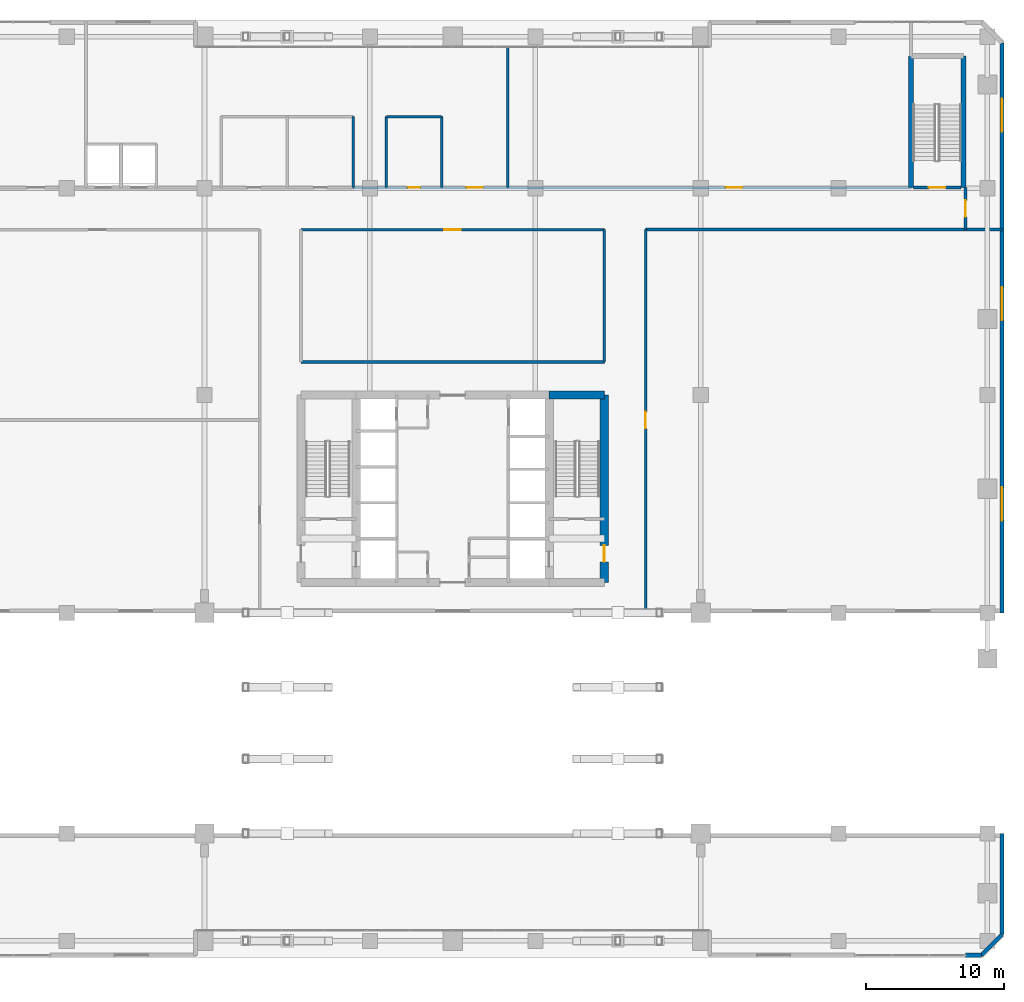
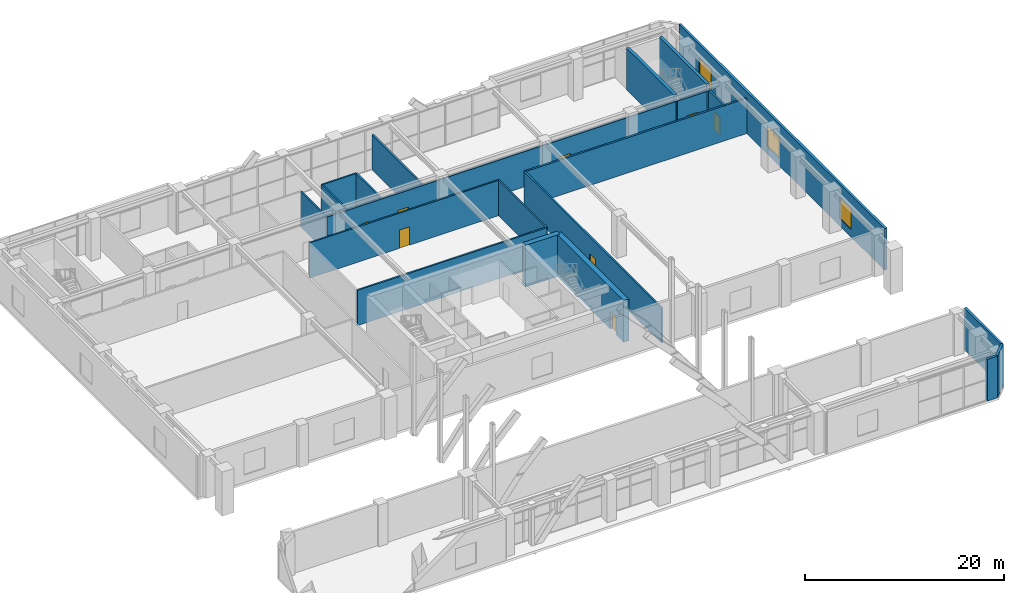
# One storey, part 24 of 28: 21 walls, 8 doors, 3 windows, 11 openings.
"""IFC4 building model written with IfcOpenShell, lengths in metres."""

from ifc_helpers import new_model, si_unit, direction, frame, frame_2d, origin, place, context, subcontext, project, spatial, rectangle, extrude, material, layer, layer_set, type_object, element, fill, save


model = new_model("IFC4")

# Units and contexts
model_context = context("Model", 3, precision=1e-05, world=origin(), true_north=direction((0.0, 1.0)))
body_context = subcontext(model_context, "Body", "Model", "MODEL_VIEW")
ifc_project = project(units=[si_unit("LENGTHUNIT", "METRE"), si_unit("AREAUNIT", "SQUARE_METRE"), si_unit("VOLUMEUNIT", "CUBIC_METRE"), si_unit("PLANEANGLEUNIT", "RADIAN"), si_unit("MASSUNIT", "GRAM", prefix="KILO")], contexts=[model_context])

# Site, building, storey
site_placement = place(None, origin())
site = spatial("IfcSite", under=ifc_project, at=site_placement, CompositionType="ELEMENT")
building_placement = place(site_placement, origin())
building = spatial("IfcBuilding", under=site, at=building_placement, Name="Sarneth Arch Tower", CompositionType="ELEMENT")
storey_placement = place(building_placement, frame((0.0, 0.0, 6.0)))
storey = spatial("IfcBuildingStorey", under=building, at=storey_placement, Name="L01", CompositionType="ELEMENT", Elevation=6.0)

# Walls
ifc_material_1 = material(Name="Concrete C50/60", Category="concrete")
ifc_layer_1 = layer(ifc_material_1, 0.35009765625)
ifc_layer_set_1 = layer_set([ifc_layer_1], Name="Concrete C50/60")
wall_type_1 = type_object("IfcWallType", Name="WALL-CORE-350", PredefinedType="SHEAR", material=ifc_layer_set_1)
for number, where, z_axis, x_axis, name in (
    (1, (81.25, 63.85009765625, 0.0), (0.0, 0.0, 1.0), (0.0, 1.0, 0.0), "L01 Podium stair core wall STP2-W"),
    (2, (85.050048828125, 63.85009765625, 0.0), (0.0, 0.0, 1.0), (0.0, 1.0, 0.0), "L01 Podium stair core wall STP2-E"),
):
    element("IfcWall", number, at=place(storey_placement, frame(where, z_axis=z_axis, x_axis=x_axis)), inside=storey, type_object=wall_type_1, Name=name, PredefinedType="SHEAR", context=body_context, shape_type="SweptSolid", body=[
        extrude(rectangle(XDim=9.5498046875, YDim=0.35009765625, at=frame_2d((4.77490234375, 0.0))), origin(), (0.0, 0.0, 1.0), 5.1201171875),
    ])
ifc_material_2 = material(Name="Concrete C60/75", Category="concrete")
ifc_layer_2 = layer(ifc_material_2, 0.60009765625)
ifc_layer_set_2 = layer_set([ifc_layer_2], Name="Concrete C60/75")
wall_type_2 = type_object("IfcWallType", Name="WALL-CORE-600", PredefinedType="SHEAR", material=ifc_layer_set_2)
wall_1_placement = place(storey_placement, frame((55.0, 48.800048828125, 0.0), z_axis=(0.0, 0.0, 1.0), x_axis=(1.0, 0.0, 0.0)))
element("IfcWall", 3, at=wall_1_placement, inside=storey, type_object=wall_type_2, Name="L01 Core shear wall N-E", PredefinedType="SHEAR", context=body_context, shape_type="SweptSolid", body=[
    extrude(rectangle(XDim=4.0, YDim=0.60009765625, at=frame_2d((2.0, 0.0))), origin(), (0.0, 0.0, 1.0), 5.1201171875),
])

# Wall, opening, door
wall_2_placement = place(storey_placement, frame((59.0, 35.199951171875, 0.0), z_axis=(0.0, 0.0, 1.0), x_axis=(0.0, 1.0, 0.0)))
wall_2 = element("IfcWall", 4, at=wall_2_placement, inside=storey, type_object=wall_type_2, Name="L01 Core shear wall E", PredefinedType="SHEAR", context=body_context, shape_type="SweptSolid", body=[
    extrude(rectangle(XDim=13.60009765625, YDim=0.60009765625, at=frame_2d((6.800048828125, 0.0))), origin(), (0.0, 0.0, 1.0), 5.1201171875),
])
opening_1_placement = place(wall_2_placement, frame((1.5, 0.0, 0.0)))
opening_1 = element("IfcOpeningElement", 5, at=opening_1_placement, cuts=wall_2, Name="Opening FD-02", PredefinedType="OPENING", context=body_context, shape_type="SweptSolid", body=[
    extrude(rectangle(XDim=1.199951171875, YDim=2.14990234375, at=frame_2d((0.60009765625, 1.074951171875))), frame((0.0, 0.31005859375, 0.0), z_axis=(0.0, -1.0, 0.0), x_axis=(1.0, 0.0, 0.0)), (0.0, 0.0, 1.0), 0.6201171875),
])
ifc_material_3 = material(Name="Galvanised Steel S275 fire door set", Category="steel")
door_type_1 = type_object("IfcDoorType", Name="DR-FD90-1200", OperationType="SINGLE_SWING_LEFT", PredefinedType="DOOR", material=ifc_material_3)
door_1_placement = place(opening_1_placement, origin())
door_1 = element("IfcDoor", 6, at=door_1_placement, inside=storey, type_object=door_type_1, Name="L01 Firefighting lobby 2 exit door", OperationType="SINGLE_SWING_RIGHT", OverallHeight=2.14990234375, OverallWidth=1.199951171875, PredefinedType="DOOR", context=body_context, shape_type="SweptSolid", body=[
    extrude(rectangle(XDim=1.199951171875, YDim=2.14990234375, at=frame_2d((0.60009765625, 1.074951171875))), frame((0.0, 0.02490234375, 0.0), z_axis=(0.0, -1.0, 0.0), x_axis=(1.0, 0.0, 0.0)), (0.0, 0.0, 1.0), 0.050048828125),
])
fill(opening_1, door_1)

# Wall, openings, doors
ifc_material_4 = material(Name="Double steel-stud corridor fire wall", Category="steel")
ifc_layer_3 = layer(ifc_material_4, 0.18994140625)
ifc_layer_set_3 = layer_set([ifc_layer_3], Name="Double steel-stud corridor fire wall")
wall_type_3 = type_object("IfcWallType", Name="WALL-CORR-190", PredefinedType="PARTITIONING", material=ifc_layer_set_3)
wall_3_placement = place(storey_placement, frame((40.76806640625, 63.85009765625, 0.0), z_axis=(0.0, 0.0, 1.0), x_axis=(1.0, 0.0, 0.0)))
wall_3 = element("IfcWall", 7, at=wall_3_placement, inside=storey, type_object=wall_type_3, Name="L01 Interior partition W-L01-TP-016", PredefinedType="PARTITIONING", context=body_context, shape_type="SweptSolid", body=[
    extrude(rectangle(XDim=40.513916015625, YDim=0.18994140625, at=frame_2d((20.2568359375, 0.0))), origin(), (0.0, 0.0, 1.0), 4.320068359375),
])
opening_2_placement = place(wall_3_placement, frame((27.056884765625, 0.0, 0.0)))
opening_2 = element("IfcOpeningElement", 8, at=opening_2_placement, cuts=wall_3, Name="Opening FD-06", PredefinedType="OPENING", context=body_context, shape_type="SweptSolid", body=[
    extrude(rectangle(XDim=1.199951171875, YDim=2.25, at=frame_2d((0.60009765625, 1.125))), frame((0.0, 0.10498046875, 0.0), z_axis=(0.0, -1.0, 0.0), x_axis=(1.0, 0.0, 0.0)), (0.0, 0.0, 1.0), 0.2099609375),
])
opening_3_placement = place(wall_3_placement, frame((8.23193359375, 0.0, 0.0)))
opening_3 = element("IfcOpeningElement", 9, at=opening_3_placement, cuts=wall_3, Name="Opening FD-06", PredefinedType="OPENING", context=body_context, shape_type="SweptSolid", body=[
    extrude(rectangle(XDim=1.199951171875, YDim=2.25, at=frame_2d((0.60009765625, 1.125))), frame((0.0, 0.10498046875, 0.0), z_axis=(0.0, -1.0, 0.0), x_axis=(1.0, 0.0, 0.0)), (0.0, 0.0, 1.0), 0.2099609375),
])
opening_4_placement = place(wall_3_placement, frame((3.98193359375, 0.0, 0.0)))
opening_4 = element("IfcOpeningElement", 10, at=opening_4_placement, cuts=wall_3, Name="Opening ID-01", PredefinedType="OPENING", context=body_context, shape_type="SweptSolid", body=[
    extrude(rectangle(XDim=0.89990234375, YDim=2.10009765625, at=frame_2d((0.449951171875, 1.050048828125))), frame((0.0, 0.10498046875, 0.0), z_axis=(0.0, -1.0, 0.0), x_axis=(1.0, 0.0, 0.0)), (0.0, 0.0, 1.0), 0.2099609375),
])
ifc_material_5 = material(Name="Hardwood timber acoustic fire door", Category="wood")
door_type_2 = type_object("IfcDoorType", Name="DR-FD60-1200", OperationType="SINGLE_SWING_LEFT", PredefinedType="DOOR", material=ifc_material_5)
door_2_placement = place(opening_2_placement, origin())
door_2 = element("IfcDoor", 11, at=door_2_placement, inside=storey, type_object=door_type_2, Name="L01 Interior door DR-L01-BOUT4", OperationType="SINGLE_SWING_RIGHT", OverallHeight=2.25, OverallWidth=1.199951171875, PredefinedType="DOOR", context=body_context, shape_type="SweptSolid", body=[
    extrude(rectangle(XDim=1.199951171875, YDim=2.25, at=frame_2d((0.60009765625, 1.125))), frame((0.0, 0.02490234375, 0.0), z_axis=(0.0, -1.0, 0.0), x_axis=(1.0, 0.0, 0.0)), (0.0, 0.0, 1.0), 0.050048828125),
])
fill(opening_2, door_2)
door_3_placement = place(opening_3_placement, origin())
door_3 = element("IfcDoor", 12, at=door_3_placement, inside=storey, type_object=door_type_2, Name="L01 Interior door DR-L01-NSTR", OperationType="SINGLE_SWING_LEFT", OverallHeight=2.25, OverallWidth=1.199951171875, PredefinedType="DOOR", context=body_context, shape_type="SweptSolid", body=[
    extrude(rectangle(XDim=1.199951171875, YDim=2.25, at=frame_2d((0.60009765625, 1.125))), frame((0.0, 0.02490234375, 0.0), z_axis=(0.0, -1.0, 0.0), x_axis=(1.0, 0.0, 0.0)), (0.0, 0.0, 1.0), 0.050048828125),
])
fill(opening_3, door_3)
ifc_material_6 = material(Name="Engineered hardwood flush door", Category="wood")
door_type_3 = type_object("IfcDoorType", Name="DR-INT-900", OperationType="SINGLE_SWING_LEFT", PredefinedType="DOOR", material=ifc_material_6)
door_4_placement = place(opening_4_placement, origin())
door_4 = element("IfcDoor", 13, at=door_4_placement, inside=storey, type_object=door_type_3, Name="L01 Interior door DR-L01-WCA", OperationType="SINGLE_SWING_RIGHT", OverallHeight=2.10009765625, OverallWidth=0.89990234375, PredefinedType="DOOR", context=body_context, shape_type="SweptSolid", body=[
    extrude(rectangle(XDim=0.89990234375, YDim=2.10009765625, at=frame_2d((0.449951171875, 1.050048828125))), frame((0.0, 0.02490234375, 0.0), z_axis=(0.0, -1.0, 0.0), x_axis=(1.0, 0.0, 0.0)), (0.0, 0.0, 1.0), 0.050048828125),
])
fill(opening_4, door_4)

# Wall, opening, door
wall_4_placement = place(storey_placement, frame((62.0, 60.800048828125, 0.0), z_axis=(0.0, 0.0, 1.0), x_axis=(0.0, -1.0, 0.0)))
wall_4 = element("IfcWall", 14, at=wall_4_placement, inside=storey, type_object=wall_type_3, Name="L01 Interior partition W-L01-TP-009", PredefinedType="PARTITIONING", context=body_context, shape_type="SweptSolid", body=[
    extrude(rectangle(XDim=27.650146484375, YDim=0.18994140625, at=frame_2d((13.8251953125, 0.0))), origin(), (0.0, 0.0, 1.0), 4.320068359375),
])
opening_5_placement = place(wall_4_placement, frame((13.22509765625, 0.0, 0.0)))
opening_5 = element("IfcOpeningElement", 15, at=opening_5_placement, cuts=wall_4, Name="Opening FD-06", PredefinedType="OPENING", context=body_context, shape_type="SweptSolid", body=[
    extrude(rectangle(XDim=1.199951171875, YDim=2.25, at=frame_2d((0.60009765625, 1.125))), frame((0.0, 0.10498046875, 0.0), z_axis=(0.0, -1.0, 0.0), x_axis=(1.0, 0.0, 0.0)), (0.0, 0.0, 1.0), 0.2099609375),
])
door_5_placement = place(opening_5_placement, origin())
door_5 = element("IfcDoor", 16, at=door_5_placement, inside=storey, type_object=door_type_2, Name="L01 Interior door DR-L01-RET3", OperationType="SINGLE_SWING_RIGHT", OverallHeight=2.25, OverallWidth=1.199951171875, PredefinedType="DOOR", context=body_context, shape_type="SweptSolid", body=[
    extrude(rectangle(XDim=1.199951171875, YDim=2.25, at=frame_2d((0.60009765625, 1.125))), frame((0.0, 0.02490234375, 0.0), z_axis=(0.0, -1.0, 0.0), x_axis=(1.0, 0.0, 0.0)), (0.0, 0.0, 1.0), 0.050048828125),
])
fill(opening_5, door_5)

wall_5_placement = place(storey_placement, frame((59.0, 60.800048828125, 0.0), z_axis=(0.0, 0.0, 1.0), x_axis=(-1.0, 0.0, 0.0)))
wall_5 = element("IfcWall", 17, at=wall_5_placement, inside=storey, type_object=wall_type_3, Name="L01 Interior partition W-L01-TP-005", PredefinedType="PARTITIONING", context=body_context, shape_type="SweptSolid", body=[
    extrude(rectangle(XDim=22.0, YDim=0.18994140625, at=frame_2d((11.0, 0.0))), origin(), (0.0, 0.0, 1.0), 4.320068359375),
])
opening_6_placement = place(wall_5_placement, frame((10.39990234375, 0.0, 0.0)))
opening_6 = element("IfcOpeningElement", 18, at=opening_6_placement, cuts=wall_5, Name="Opening FD-06", PredefinedType="OPENING", context=body_context, shape_type="SweptSolid", body=[
    extrude(rectangle(XDim=1.199951171875, YDim=2.25, at=frame_2d((0.60009765625, 1.125))), frame((0.0, 0.10498046875, 0.0), z_axis=(0.0, -1.0, 0.0), x_axis=(1.0, 0.0, 0.0)), (0.0, 0.0, 1.0), 0.2099609375),
])
door_6_placement = place(opening_6_placement, origin())
door_6 = element("IfcDoor", 19, at=door_6_placement, inside=storey, type_object=door_type_2, Name="L01 Interior door DR-L01-DIN", OperationType="SINGLE_SWING_RIGHT", OverallHeight=2.25, OverallWidth=1.199951171875, PredefinedType="DOOR", context=body_context, shape_type="SweptSolid", body=[
    extrude(rectangle(XDim=1.199951171875, YDim=2.25, at=frame_2d((0.60009765625, 1.125))), frame((0.0, 0.02490234375, 0.0), z_axis=(0.0, -1.0, 0.0), x_axis=(1.0, 0.0, 0.0)), (0.0, 0.0, 1.0), 0.050048828125),
])
fill(opening_6, door_6)

# Walls
wall_6_placement = place(storey_placement, frame((37.0, 51.199951171875, 0.0), z_axis=(0.0, 0.0, 1.0), x_axis=(1.0, 0.0, 0.0)))
element("IfcWall", 20, at=wall_6_placement, inside=storey, type_object=wall_type_3, Name="L01 Interior partition W-L01-TP-007", PredefinedType="PARTITIONING", context=body_context, shape_type="SweptSolid", body=[
    extrude(rectangle(XDim=22.0, YDim=0.18994140625, at=frame_2d((11.0, 0.0))), origin(), (0.0, 0.0, 1.0), 4.320068359375),
])
wall_7_placement = place(storey_placement, frame((59.0, 51.199951171875, 0.0), z_axis=(0.0, 0.0, 1.0), x_axis=(0.0, 1.0, 0.0)))
element("IfcWall", 21, at=wall_7_placement, inside=storey, type_object=wall_type_3, Name="L01 Interior partition W-L01-TP-004", PredefinedType="PARTITIONING", context=body_context, shape_type="SweptSolid", body=[
    extrude(rectangle(XDim=9.60009765625, YDim=0.18994140625, at=frame_2d((4.800048828125, 0.0))), origin(), (0.0, 0.0, 1.0), 4.320068359375),
])

# Wall, openings, windows
ifc_material_7 = material(Name="Extruded terracotta rainscreen on Concrete C40/50 backing", Category="masonry")
ifc_layer_4 = layer(ifc_material_7, 0.280029296875)
ifc_layer_set_4 = layer_set([ifc_layer_4], Name="Extruded terracotta rainscreen on Concrete C40/50 backing")
wall_type_4 = type_object("IfcWallType", Name="WALL-EXT-TERRA-280", PredefinedType="SOLIDWALL", material=ifc_layer_set_4)
wall_8_placement = place(storey_placement, frame((87.85009765625, 74.35009765625, 0.0), z_axis=(0.0, 0.0, 1.0), x_axis=(0.0, -1.0, 0.0)))
wall_8 = element("IfcWall", 22, at=wall_8_placement, inside=storey, type_object=wall_type_4, Name="L01 East podium north wall", PredefinedType="SOLIDWALL", context=body_context, shape_type="SweptSolid", body=[
    extrude(rectangle(XDim=41.35009765625, YDim=0.280029296875, at=frame_2d((20.675048828125, 0.0))), origin(), (0.0, 0.0, 1.0), 5.1201171875),
])
opening_7_placement = place(wall_8_placement, frame((4.050048828125, 0.0, 0.89990234375)))
opening_7 = element("IfcOpeningElement", 23, at=opening_7_placement, cuts=wall_8, Name="Opening W-02", PredefinedType="OPENING", context=body_context, shape_type="SweptSolid", body=[
    extrude(rectangle(XDim=2.39990234375, YDim=2.60009765625, at=frame_2d((1.199951171875, 1.300048828125))), frame((0.0, 0.14990234375, 0.0), z_axis=(0.0, -1.0, 0.0), x_axis=(1.0, 0.0, 0.0)), (0.0, 0.0, 1.0), 0.300048828125),
])
opening_8_placement = place(wall_8_placement, frame((17.72509765625, 0.0, 0.89990234375)))
opening_8 = element("IfcOpeningElement", 24, at=opening_8_placement, cuts=wall_8, Name="Opening W-02", PredefinedType="OPENING", context=body_context, shape_type="SweptSolid", body=[
    extrude(rectangle(XDim=2.39990234375, YDim=2.60009765625, at=frame_2d((1.199951171875, 1.300048828125))), frame((0.0, 0.14990234375, 0.0), z_axis=(0.0, -1.0, 0.0), x_axis=(1.0, 0.0, 0.0)), (0.0, 0.0, 1.0), 0.300048828125),
])
opening_9_placement = place(wall_8_placement, frame((32.25, 0.0, 0.89990234375)))
opening_9 = element("IfcOpeningElement", 25, at=opening_9_placement, cuts=wall_8, Name="Opening W-02", PredefinedType="OPENING", context=body_context, shape_type="SweptSolid", body=[
    extrude(rectangle(XDim=2.39990234375, YDim=2.60009765625, at=frame_2d((1.199951171875, 1.300048828125))), frame((0.0, 0.14990234375, 0.0), z_axis=(0.0, -1.0, 0.0), x_axis=(1.0, 0.0, 0.0)), (0.0, 0.0, 1.0), 0.300048828125),
])
ifc_material_8 = material(Name="Thermally broken Aluminium 6063-T6 and low-e laminated IGU", Category="aluminium")
window_type = type_object("IfcWindowType", Name="WIN-POD-2400x2600", PartitioningType="DOUBLE_PANEL_VERTICAL", PredefinedType="WINDOW", material=ifc_material_8)
window_1_placement = place(opening_7_placement, origin())
window_1 = element("IfcWindow", 26, at=window_1_placement, inside=storey, type_object=window_type, Name="L01 East window 1", OverallHeight=2.60009765625, OverallWidth=2.39990234375, PartitioningType="SINGLE_PANEL", PredefinedType="WINDOW", context=body_context, shape_type="SweptSolid", body=[
    extrude(rectangle(XDim=2.39990234375, YDim=2.60009765625, at=frame_2d((1.199951171875, 1.300048828125))), frame((0.0, 0.030029296875, 0.0), z_axis=(0.0, -1.0, 0.0), x_axis=(1.0, 0.0, 0.0)), (0.0, 0.0, 1.0), 0.06005859375),
])
fill(opening_7, window_1)
window_2_placement = place(opening_8_placement, origin())
window_2 = element("IfcWindow", 27, at=window_2_placement, inside=storey, type_object=window_type, Name="L01 East window 2", OverallHeight=2.60009765625, OverallWidth=2.39990234375, PartitioningType="SINGLE_PANEL", PredefinedType="WINDOW", context=body_context, shape_type="SweptSolid", body=[
    extrude(rectangle(XDim=2.39990234375, YDim=2.60009765625, at=frame_2d((1.199951171875, 1.300048828125))), frame((0.0, 0.030029296875, 0.0), z_axis=(0.0, -1.0, 0.0), x_axis=(1.0, 0.0, 0.0)), (0.0, 0.0, 1.0), 0.06005859375),
])
fill(opening_8, window_2)
window_3_placement = place(opening_9_placement, origin())
window_3 = element("IfcWindow", 28, at=window_3_placement, inside=storey, type_object=window_type, Name="L01 East window 3", OverallHeight=2.60009765625, OverallWidth=2.39990234375, PartitioningType="SINGLE_PANEL", PredefinedType="WINDOW", context=body_context, shape_type="SweptSolid", body=[
    extrude(rectangle(XDim=2.39990234375, YDim=2.60009765625, at=frame_2d((1.199951171875, 1.300048828125))), frame((0.0, 0.030029296875, 0.0), z_axis=(0.0, -1.0, 0.0), x_axis=(1.0, 0.0, 0.0)), (0.0, 0.0, 1.0), 0.06005859375),
])
fill(opening_9, window_3)

# Walls
wall_9_placement = place(storey_placement, frame((87.85009765625, 9.64990234375, 0.0), z_axis=(0.0, 0.0, 1.0), x_axis=(0.0, 1.0, 0.0)))
element("IfcWall", 29, at=wall_9_placement, inside=storey, type_object=wall_type_4, Name="L01 East south wing wall", PredefinedType="SOLIDWALL", context=body_context, shape_type="SweptSolid", body=[
    extrude(rectangle(XDim=7.35009765625, YDim=0.280029296875, at=frame_2d((3.675048828125, 0.0))), origin(), (0.0, 0.0, 1.0), 5.1201171875),
])
wall_10_placement = place(storey_placement, frame((86.35009765625, 8.14990234375, 0.0), z_axis=(0.0, 0.0, 1.0), x_axis=(0.707106781187, 0.707106781187, 0.0)))
element("IfcWall", 30, at=wall_10_placement, inside=storey, type_object=wall_type_4, Name="L01 Podium chamfer terracotta wall SE", PredefinedType="SOLIDWALL", context=body_context, shape_type="SweptSolid", body=[
    extrude(rectangle(XDim=2.121337890625, YDim=0.280029296875, at=frame_2d((1.060546875, 0.0))), origin(), (0.0, 0.0, 1.0), 5.1201171875),
])
ifc_material_9 = material(Name="Extruded terracotta rainscreen on Concrete C40/50 backing", Category="masonry")
ifc_layer_5 = layer(ifc_material_9, 0.320068359375)
ifc_layer_set_5 = layer_set([ifc_layer_5], Name="Extruded terracotta rainscreen on Concrete C40/50 backing")
wall_type_5 = type_object("IfcWallType", Name="WALL-EXT-TERRA-320", PredefinedType="SOLIDWALL", material=ifc_layer_set_5)
wall_11_placement = place(storey_placement, frame((85.199951171875, 8.14990234375, 0.0), z_axis=(0.0, 0.0, 1.0), x_axis=(1.0, 0.0, 0.0)))
element("IfcWall", 31, at=wall_11_placement, inside=storey, type_object=wall_type_5, Name="L01 South-east pier", PredefinedType="SOLIDWALL", context=body_context, shape_type="SweptSolid", body=[
    extrude(rectangle(XDim=1.150146484375, YDim=0.320068359375, at=frame_2d((0.5751953125, 0.0))), origin(), (0.0, 0.0, 1.0), 5.1201171875),
])
ifc_material_10 = material(Name="Aerated concrete blockwork C25/30", Category="masonry")
ifc_layer_6 = layer(ifc_material_10, 0.219970703125)
ifc_layer_set_6 = layer_set([ifc_layer_6], Name="Aerated concrete blockwork C25/30")
wall_type_6 = type_object("IfcWallType", Name="WALL-FIRE-220", PredefinedType="SOLIDWALL", material=ifc_layer_set_6)
wall_12_placement = place(storey_placement, frame((87.85009765625, 60.800048828125, 0.0), z_axis=(0.0, 0.0, 1.0), x_axis=(-1.0, 0.0, 0.0)))
element("IfcWall", 32, at=wall_12_placement, inside=storey, type_object=wall_type_6, Name="L01 Interior partition W-L01-TP-008", PredefinedType="SOLIDWALL", context=body_context, shape_type="SweptSolid", body=[
    extrude(rectangle(XDim=25.85009765625, YDim=0.219970703125, at=frame_2d((12.925048828125, 0.0))), origin(), (0.0, 0.0, 1.0), 4.320068359375),
])

# Wall, opening, door
wall_13_placement = place(storey_placement, frame((85.199951171875, 63.85009765625, 0.0), z_axis=(0.0, 0.0, 1.0), x_axis=(0.0, -1.0, 0.0)))
wall_13 = element("IfcWall", 33, at=wall_13_placement, inside=storey, type_object=wall_type_6, Name="L01 Interior partition W-L01-TP-020", PredefinedType="SOLIDWALL", context=body_context, shape_type="SweptSolid", body=[
    extrude(rectangle(XDim=3.050048828125, YDim=0.219970703125, at=frame_2d((1.52490234375, 0.0))), origin(), (0.0, 0.0, 1.0), 4.320068359375),
])
opening_10_placement = place(wall_13_placement, frame((0.925048828125, 0.0, 0.0)))
opening_10 = element("IfcOpeningElement", 34, at=opening_10_placement, cuts=wall_13, Name="Opening FD-06", PredefinedType="OPENING", context=body_context, shape_type="SweptSolid", body=[
    extrude(rectangle(XDim=1.199951171875, YDim=2.25, at=frame_2d((0.60009765625, 1.125))), frame((0.0, 0.119873046875, 0.0), z_axis=(0.0, -1.0, 0.0), x_axis=(1.0, 0.0, 0.0)), (0.0, 0.0, 1.0), 0.239990234375),
])
door_7_placement = place(opening_10_placement, origin())
door_7 = element("IfcDoor", 35, at=door_7_placement, inside=storey, type_object=door_type_2, Name="L01 Interior door DR-L01-CLSE", OperationType="SINGLE_SWING_RIGHT", OverallHeight=2.25, OverallWidth=1.199951171875, PredefinedType="DOOR", context=body_context, shape_type="SweptSolid", body=[
    extrude(rectangle(XDim=1.199951171875, YDim=2.25, at=frame_2d((0.60009765625, 1.125))), frame((0.0, 0.02490234375, 0.0), z_axis=(0.0, -1.0, 0.0), x_axis=(1.0, 0.0, 0.0)), (0.0, 0.0, 1.0), 0.050048828125),
])
fill(opening_10, door_7)

# Walls
ifc_material_11 = material(Name="Moisture-resistant plumbing chase wall", Category="gypsum")
ifc_layer_7 = layer(ifc_material_11, 0.179931640625)
ifc_layer_set_7 = layer_set([ifc_layer_7], Name="Moisture-resistant plumbing chase wall")
wall_type_7 = type_object("IfcWallType", Name="WALL-PLUMB-180", PredefinedType="PLUMBINGWALL", material=ifc_layer_set_7)
for number, where, z_axis, x_axis, name in (
    (36, (40.800048828125, 69.0, 0.0), (0.0, 0.0, 1.0), (0.0, -1.0, 0.0), "L01 Interior partition W-L01-TP-028"),
    (37, (43.199951171875, 63.85009765625, 0.0), (0.0, 0.0, 1.0), (0.0, 1.0, 0.0), "L01 Interior partition W-L01-TP-029"),
    (38, (47.199951171875, 69.0, 0.0), (0.0, 0.0, 1.0), (0.0, -1.0, 0.0), "L01 Interior partition W-L01-TP-031"),
):
    element("IfcWall", number, at=place(storey_placement, frame(where, z_axis=z_axis, x_axis=x_axis)), inside=storey, type_object=wall_type_7, Name=name, PredefinedType="PLUMBINGWALL", context=body_context, shape_type="SweptSolid", body=[
        extrude(rectangle(XDim=5.14990234375, YDim=0.179931640625, at=frame_2d((2.574951171875, 0.0))), origin(), (0.0, 0.0, 1.0), 4.320068359375),
    ])
wall_14_placement = place(storey_placement, frame((43.199951171875, 69.0, 0.0), z_axis=(0.0, 0.0, 1.0), x_axis=(1.0, 0.0, 0.0)))
element("IfcWall", 39, at=wall_14_placement, inside=storey, type_object=wall_type_7, Name="L01 Interior partition W-L01-TP-030", PredefinedType="PLUMBINGWALL", context=body_context, shape_type="SweptSolid", body=[
    extrude(rectangle(XDim=4.0, YDim=0.179931640625, at=frame_2d((2.0, 0.0))), origin(), (0.0, 0.0, 1.0), 4.320068359375),
])

# Wall, opening, door
ifc_material_12 = material(Name="Aerated concrete blockwork C25/30", Category="masonry")
ifc_layer_8 = layer(ifc_material_12, 0.199951171875)
ifc_layer_set_8 = layer_set([ifc_layer_8], Name="Aerated concrete blockwork C25/30")
wall_type_8 = type_object("IfcWallType", Name="WALL-SHAFT-200", PredefinedType="SOLIDWALL", material=ifc_layer_set_8)
wall_15_placement = place(storey_placement, frame((81.429931640625, 63.85009765625, 0.0), z_axis=(0.0, 0.0, 1.0), x_axis=(1.0, 0.0, 0.0)))
wall_15 = element("IfcWall", 40, at=wall_15_placement, inside=storey, type_object=wall_type_8, Name="L01 Interior partition W-L01-STP2-S", PredefinedType="SOLIDWALL", context=body_context, shape_type="SweptSolid", body=[
    extrude(rectangle(XDim=3.440185546875, YDim=0.199951171875, at=frame_2d((1.72021484375, 0.0))), origin(), (0.0, 0.0, 1.0), 4.320068359375),
])
opening_11_placement = place(wall_15_placement, frame((1.1201171875, 0.0, 0.0)))
opening_11 = element("IfcOpeningElement", 41, at=opening_11_placement, cuts=wall_15, Name="Opening FD-02", PredefinedType="OPENING", context=body_context, shape_type="SweptSolid", body=[
    extrude(rectangle(XDim=1.199951171875, YDim=2.14990234375, at=frame_2d((0.60009765625, 1.074951171875))), frame((0.0, 0.10986328125, 0.0), z_axis=(0.0, -1.0, 0.0), x_axis=(1.0, 0.0, 0.0)), (0.0, 0.0, 1.0), 0.219970703125),
])
door_8_placement = place(opening_11_placement, origin())
door_8 = element("IfcDoor", 42, at=door_8_placement, inside=storey, type_object=door_type_1, Name="L01 Interior door DR-L01-STP2", OperationType="SINGLE_SWING_RIGHT", OverallHeight=2.14990234375, OverallWidth=1.199951171875, PredefinedType="DOOR", context=body_context, shape_type="SweptSolid", body=[
    extrude(rectangle(XDim=1.199951171875, YDim=2.14990234375, at=frame_2d((0.60009765625, 1.074951171875))), frame((0.0, 0.02490234375, 0.0), z_axis=(0.0, -1.0, 0.0), x_axis=(1.0, 0.0, 0.0)), (0.0, 0.0, 1.0), 0.050048828125),
])
fill(opening_11, door_8)

# Wall
ifc_material_13 = material(Name="Double steel-stud acoustic drywall", Category="steel")
ifc_layer_9 = layer(ifc_material_13, 0.199951171875)
ifc_layer_set_9 = layer_set([ifc_layer_9], Name="Double steel-stud acoustic drywall")
wall_type_9 = type_object("IfcWallType", Name="WALL-UNIT-200", PredefinedType="PARTITIONING", material=ifc_layer_set_9)
wall_16_placement = place(storey_placement, frame((52.0, 74.050048828125, 0.0), z_axis=(0.0, 0.0, 1.0), x_axis=(0.0, -1.0, 0.0)))
element("IfcWall", 43, at=wall_16_placement, inside=storey, type_object=wall_type_9, Name="L01 Interior partition W-L01-TP-032", PredefinedType="PARTITIONING", context=body_context, shape_type="SweptSolid", body=[
    extrude(rectangle(XDim=10.199951171875, YDim=0.199951171875, at=frame_2d((5.10009765625, 0.0))), origin(), (0.0, 0.0, 1.0), 4.320068359375),
])

save(model, "model.ifc")
